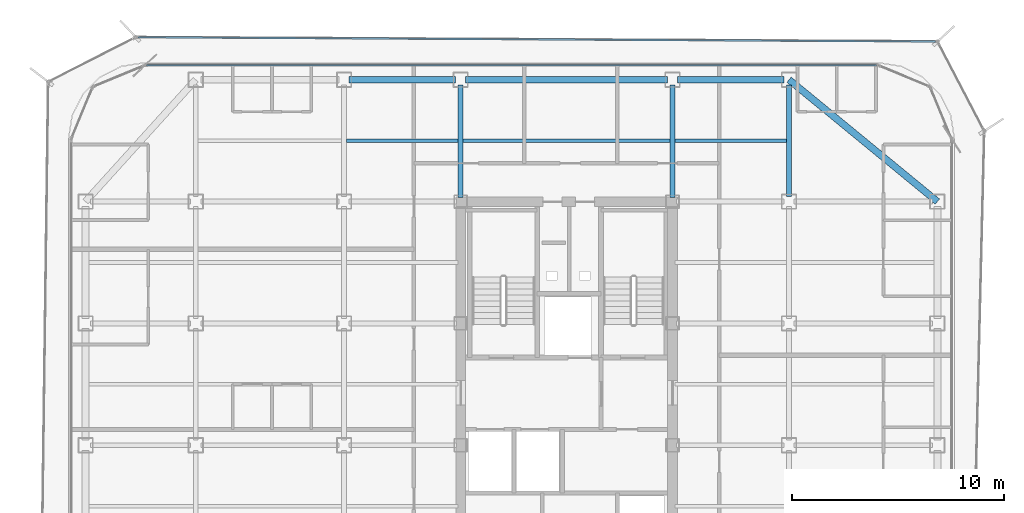
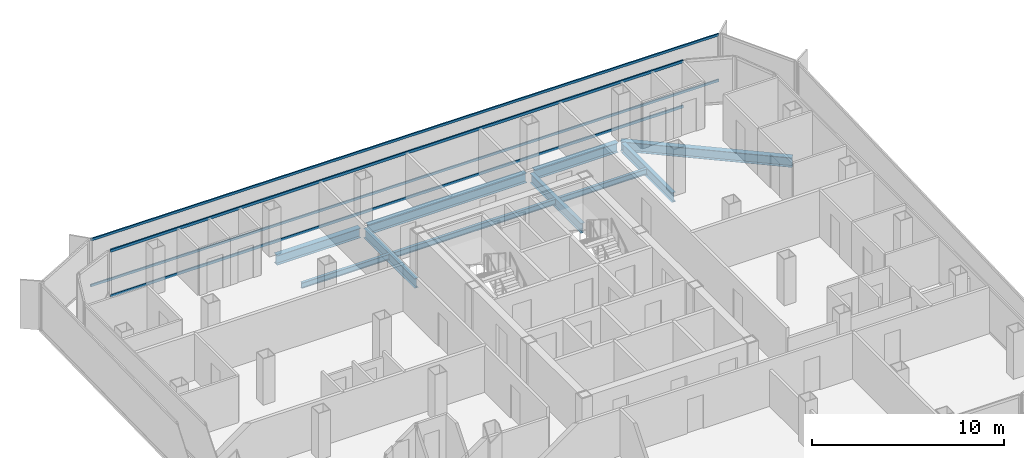
# One storey, part 7 of 15: 10 beams, 4 members, 2 elements without a shape of their own.
"""IFC4 building model written with IfcOpenShell, lengths in metres."""

from ifc_helpers import new_model, si_unit, direction, frame, origin, origin_2d, place, context, subcontext, project, spatial, hollow_rectangle, i_section, extrude, source, transform, mapped, material, layer, layer_set, material_profile, profile_set, type_object, element, aggregate, save


model = new_model("IFC4")

# Units and contexts
model_context = context("Model", 3, precision=1e-05, world=origin(), true_north=direction((0.0, 1.0)))
body_context = subcontext(model_context, "Body", "Model", "MODEL_VIEW")
ifc_project = project(units=[si_unit("LENGTHUNIT", "METRE"), si_unit("AREAUNIT", "SQUARE_METRE"), si_unit("VOLUMEUNIT", "CUBIC_METRE"), si_unit("PLANEANGLEUNIT", "RADIAN"), si_unit("MASSUNIT", "GRAM", prefix="KILO")], contexts=[model_context])

# Site, building, storey
site_placement = place(None, origin())
site = spatial("IfcSite", under=ifc_project, at=site_placement, CompositionType="ELEMENT")
building_placement = place(site_placement, origin())
building = spatial("IfcBuilding", under=site, at=building_placement, Name="Kolveth Station Tower", CompositionType="ELEMENT")
storey_placement = place(building_placement, frame((0.0, 0.0, 168.89990234375)))
storey = spatial("IfcBuildingStorey", under=building, at=storey_placement, Name="L47", CompositionType="ELEMENT", Elevation=168.89990234375)

# Beams
ifc_material_1 = material(Name="Steel S355", Category="steel")
ifc_material_profile_1 = material_profile(ifc_material_1, i_section(OverallWidth=0.323974609375, OverallDepth=0.611083984375, WebThickness=0.0126953125, FlangeThickness=0.01904296875, at=origin_2d()), Name="W610x155")
ifc_profile_set_1 = profile_set([ifc_material_profile_1], Name="Steel S355")
beam_type_1 = type_object("IfcBeamType", Name="Beam_SP2", PredefinedType="SPANDREL", material=ifc_profile_set_1)
shared_shape_1 = source(origin(), body_context, "Body", "SweptSolid", [
    extrude(i_section(OverallWidth=0.323974609375, OverallDepth=0.611083984375, WebThickness=0.0126953125, FlangeThickness=0.01904296875, at=origin_2d()), origin(), (0.0, 0.0, 1.0), 5.02001953125),
])
for number, where, z_axis, x_axis, name in (
    (1, (13.239990234375, 34.5, -0.555419921875), (1.0, 0.0, 0.0), (0.0, 1.0, 0.0), "L47 Perimeter Spandrel BM-L47-PN-2"),
    (2, (28.739990234375, 34.5, -0.555419921875), (1.0, 0.0, 0.0), (0.0, 1.0, 0.0), "L47 Perimeter Spandrel BM-L47-PN-4"),
):
    element("IfcBeam", number, at=place(storey_placement, frame(where, z_axis=z_axis, x_axis=x_axis)), inside=storey, type_object=beam_type_1, Name=name, PredefinedType="SPANDREL", context=body_context, shape_type="MappedRepresentation", body=[
        mapped(shared_shape_1, transform((0.0, 0.0, 0.0), x_axis=(1.0, 0.0, 0.0), y_axis=(0.0, 1.0, 0.0), z_axis=(0.0, 0.0, 1.0), scale=1.0)),
    ])
shared_shape_2 = source(origin(), body_context, "Body", "SweptSolid", [
    extrude(i_section(OverallWidth=0.323974609375, OverallDepth=0.611083984375, WebThickness=0.0126953125, FlangeThickness=0.01904296875, at=origin_2d()), origin(), (0.0, 0.0, 1.0), 9.52001953125),
])
beam_1_placement = place(storey_placement, frame((18.739990234375, 34.5, -0.555419921875), z_axis=(1.0, 0.0, 0.0), x_axis=(0.0, 1.0, 0.0)))
element("IfcBeam", 3, at=beam_1_placement, inside=storey, type_object=beam_type_1, Name="L47 Perimeter Spandrel BM-L47-PN-3", PredefinedType="SPANDREL", context=body_context, shape_type="MappedRepresentation", body=[
    mapped(shared_shape_2, transform((0.0, 0.0, 0.0), x_axis=(1.0, 0.0, 0.0), y_axis=(0.0, 1.0, 0.0), z_axis=(0.0, 0.0, 1.0), scale=1.0)),
])
shared_shape_3 = source(origin(), body_context, "Body", "SweptSolid", [
    extrude(i_section(OverallWidth=0.323974609375, OverallDepth=0.611083984375, WebThickness=0.0126953125, FlangeThickness=0.01904296875, at=origin_2d()), origin(), (0.0, 0.0, 1.0), 9.058837890625),
])
beam_2_placement = place(storey_placement, frame((41.0, 28.75, -0.555419921875), z_axis=(-0.772726254525, 0.63473942336, 0.0), x_axis=(-0.63473942336, -0.772726254525, 0.0)))
element("IfcBeam", 4, at=beam_2_placement, inside=storey, type_object=beam_type_1, Name="L47 Corner Edge Girder BM-L47-CNR-NE", PredefinedType="SPANDREL", context=body_context, shape_type="MappedRepresentation", body=[
    mapped(shared_shape_3, transform((0.0, 0.0, 0.0), x_axis=(1.0, 0.0, 0.0), y_axis=(0.0, 1.0, 0.0), z_axis=(0.0, 0.0, 1.0), scale=1.0)),
])
ifc_material_profile_2 = material_profile(ifc_material_1, i_section(OverallWidth=0.22900390625, OverallDepth=0.612060546875, WebThickness=0.011962890625, FlangeThickness=0.01953125, at=origin_2d()), Name="W610x125")
ifc_profile_set_2 = profile_set([ifc_material_profile_2], Name="Steel S355")
beam_type_2 = type_object("IfcBeamType", Name="Beam_B5", PredefinedType="BEAM", material=ifc_profile_set_2)
shared_shape_4 = source(origin(), body_context, "Body", "SweptSolid", [
    extrude(i_section(OverallWidth=0.22900390625, OverallDepth=0.612060546875, WebThickness=0.011962890625, FlangeThickness=0.01953125, at=origin_2d()), origin(), (0.0, 0.0, 1.0), 5.27001953125),
])
beam_3_placement = place(storey_placement, frame((34.0, 28.989990234375, -0.555908203125), z_axis=(0.0, 1.0, 0.0), x_axis=(-1.0, 0.0, 0.0)))
element("IfcBeam", 5, at=beam_3_placement, inside=storey, type_object=beam_type_2, Name="L47 Primary Girder BM-L47-GX340-6", PredefinedType="BEAM", context=body_context, shape_type="MappedRepresentation", body=[
    mapped(shared_shape_4, transform((0.0, 0.0, 0.0), x_axis=(1.0, 0.0, 0.0), y_axis=(0.0, 1.0, 0.0), z_axis=(0.0, 0.0, 1.0), scale=1.0)),
])
shared_shape_5 = source(origin(), body_context, "Body", "SweptSolid", [
    extrude(i_section(OverallWidth=0.22900390625, OverallDepth=0.612060546875, WebThickness=0.011962890625, FlangeThickness=0.01953125, at=origin_2d()), origin(), (0.0, 0.0, 1.0), 5.31005859375),
])
for number, where, z_axis, x_axis, name in (
    (6, (18.5, 28.949951171875, -0.555908203125), (0.0, 1.0, 0.0), (-1.0, 0.0, 0.0), "L47 Primary Girder BM-L47-GX185-6"),
    (7, (28.5, 28.949951171875, -0.555908203125), (0.0, 1.0, 0.0), (-1.0, 0.0, 0.0), "L47 Primary Girder BM-L47-GX285-6"),
):
    element("IfcBeam", number, at=place(storey_placement, frame(where, z_axis=z_axis, x_axis=x_axis)), inside=storey, type_object=beam_type_2, Name=name, PredefinedType="BEAM", context=body_context, shape_type="MappedRepresentation", body=[
        mapped(shared_shape_5, transform((0.0, 0.0, 0.0), x_axis=(1.0, 0.0, 0.0), y_axis=(0.0, 1.0, 0.0), z_axis=(0.0, 0.0, 1.0), scale=1.0)),
    ])
ifc_material_profile_3 = material_profile(ifc_material_1, i_section(OverallWidth=0.1708984375, OverallDepth=0.35205078125, WebThickness=0.0068359375, FlangeThickness=0.009765625, at=origin_2d()), Name="W360x44")
ifc_profile_set_3 = profile_set([ifc_material_profile_3], Name="Steel S355")
beam_type_3 = type_object("IfcBeamType", Name="Beam_J2", PredefinedType="JOIST", material=ifc_profile_set_3)
shared_shape_6 = source(origin(), body_context, "Body", "SweptSolid", [
    extrude(i_section(OverallWidth=0.1708984375, OverallDepth=0.35205078125, WebThickness=0.0068359375, FlangeThickness=0.009765625, at=origin_2d()), origin(), (0.0, 0.0, 1.0), 5.27490234375),
])
for number, where, z_axis, x_axis, name in (
    (8, (13.112548828125, 31.625, -0.42578125), (1.0, 0.0, 0.0), (0.0, 1.0, 0.0), "L47 Secondary Joist JST-L47-3-6"),
    (9, (28.612548828125, 31.625, -0.42578125), (1.0, 0.0, 0.0), (0.0, 1.0, 0.0), "L47 Secondary Joist JST-L47-5-6"),
):
    element("IfcBeam", number, at=place(storey_placement, frame(where, z_axis=z_axis, x_axis=x_axis)), inside=storey, type_object=beam_type_3, Name=name, PredefinedType="JOIST", context=body_context, shape_type="MappedRepresentation", body=[
        mapped(shared_shape_6, transform((0.0, 0.0, 0.0), x_axis=(1.0, 0.0, 0.0), y_axis=(0.0, 1.0, 0.0), z_axis=(0.0, 0.0, 1.0), scale=1.0)),
    ])
shared_shape_7 = source(origin(), body_context, "Body", "SweptSolid", [
    extrude(i_section(OverallWidth=0.1708984375, OverallDepth=0.35205078125, WebThickness=0.0068359375, FlangeThickness=0.009765625, at=origin_2d()), origin(), (0.0, 0.0, 1.0), 9.77490234375),
])
beam_4_placement = place(storey_placement, frame((18.612548828125, 31.625, -0.42578125), z_axis=(1.0, 0.0, 0.0), x_axis=(0.0, 1.0, 0.0)))
element("IfcBeam", 10, at=beam_4_placement, inside=storey, type_object=beam_type_3, Name="L47 Secondary Joist JST-L47-4-6", PredefinedType="JOIST", context=body_context, shape_type="MappedRepresentation", body=[
    mapped(shared_shape_7, transform((0.0, 0.0, 0.0), x_axis=(1.0, 0.0, 0.0), y_axis=(0.0, 1.0, 0.0), z_axis=(0.0, 0.0, 1.0), scale=1.0)),
])

# Curtain wall, members
ifc_material_2 = material(Name="Aluminium 6063-T6 and low-E dark glass", Category="aluminium")
ifc_layer_1 = layer(ifc_material_2, 0.18994140625)
ifc_layer_set_1 = layer_set([ifc_layer_1], Name="Aluminium 6063-T6 and low-E dark glass")
curtain_wall_type_1 = type_object("IfcCurtainWallType", Name="CurtainWall_CW-Z2", PredefinedType="NOTDEFINED", material=ifc_layer_set_1)
curtain_wall_1_placement = place(storey_placement, origin())
curtain_wall_1 = element("IfcCurtainWall", 11, at=curtain_wall_1_placement, inside=storey, type_object=curtain_wall_type_1, Name="L47 Inner Thermal Curtain Wall 6", PredefinedType="NOTDEFINED")
ifc_material_3 = material(Name="Black anodized aluminium 6063-T6", Category="aluminium")
ifc_material_profile_4 = material_profile(ifc_material_3, hollow_rectangle(XDim=0.080078125, YDim=0.169921875, WallThickness=0.0048828125, at=origin_2d()), Name="ALU-80x170x5")
ifc_profile_set_4 = profile_set([ifc_material_profile_4], Name="Black anodized aluminium 6063-T6")
member_type_1 = type_object("IfcMemberType", Name="Transom_TR2", PredefinedType="USERDEFINED", material=ifc_profile_set_4)
shared_shape_8 = source(origin(), body_context, "Body", "SweptSolid", [
    extrude(hollow_rectangle(XDim=0.080078125, YDim=0.169921875, WallThickness=0.0048828125, at=origin_2d()), origin(), (0.0, 0.0, 1.0), 34.440185546875),
])
member_1_placement = place(storey_placement, frame((38.1201171875, 35.179931640625, 0.0400390625), z_axis=(-1.0, 0.0, 0.0), x_axis=(0.0, -1.0, 0.0)))
member_1 = element("IfcMember", 12, at=member_1_placement, type_object=member_type_1, Name="CW-Z2 transom 1.1", ObjectType="TRANSOM", PredefinedType="USERDEFINED", context=body_context, shape_type="MappedRepresentation", body=[
    mapped(shared_shape_8, transform((0.0, 0.0, 0.0), x_axis=(1.0, 0.0, 0.0), y_axis=(0.0, 1.0, 0.0), z_axis=(0.0, 0.0, 1.0), scale=1.0)),
])
member_2_placement = place(storey_placement, frame((38.1201171875, 35.179931640625, 2.91015625), z_axis=(-1.0, 0.0, 0.0), x_axis=(0.0, -1.0, 0.0)))
member_2 = element("IfcMember", 13, at=member_2_placement, type_object=member_type_1, Name="CW-Z2 transom 1.2", ObjectType="TRANSOM", PredefinedType="USERDEFINED", context=body_context, shape_type="MappedRepresentation", body=[
    mapped(shared_shape_8, transform((0.0, 0.0, 0.0), x_axis=(1.0, 0.0, 0.0), y_axis=(0.0, 1.0, 0.0), z_axis=(0.0, 0.0, 1.0), scale=1.0)),
])
aggregate(curtain_wall_1, [member_1, member_2])

ifc_material_4 = material(Name="Black anodized aluminium 6063-T6 and dark solar glass", Category="aluminium")
ifc_layer_2 = layer(ifc_material_4, 0.159912109375)
ifc_layer_set_2 = layer_set([ifc_layer_2], Name="Black anodized aluminium 6063-T6 and dark solar glass")
curtain_wall_type_2 = type_object("IfcCurtainWallType", Name="OUTER SKIN CW-OS", PredefinedType="NOTDEFINED", material=ifc_layer_set_2)
curtain_wall_2_placement = place(storey_placement, origin())
curtain_wall_2 = element("IfcCurtainWall", 14, at=curtain_wall_2_placement, inside=storey, type_object=curtain_wall_type_2, Name="L47 Outer Ventilated Skin Curtain Wall 4", PredefinedType="NOTDEFINED")
ifc_material_profile_5 = material_profile(ifc_material_3, hollow_rectangle(XDim=0.080078125, YDim=0.14990234375, WallThickness=0.0048828125, at=origin_2d()), Name="ALU-80x150x5")
ifc_profile_set_5 = profile_set([ifc_material_profile_5], Name="Black anodized aluminium 6063-T6")
member_type_2 = type_object("IfcMemberType", Name="Transom_TR-OS", PredefinedType="USERDEFINED", material=ifc_profile_set_5)
shared_shape_9 = source(origin(), body_context, "Body", "SweptSolid", [
    extrude(hollow_rectangle(XDim=0.080078125, YDim=0.14990234375, WallThickness=0.0048828125, at=origin_2d()), origin(), (0.0, 0.0, 1.0), 37.655517578125),
])
member_3_placement = place(storey_placement, frame((40.921142578125, 36.303955078125, 0.0400390625), z_axis=(-0.999985590284, 0.005368353932, 0.0), x_axis=(-0.005368353932, -0.999985590284, 0.0)))
member_3 = element("IfcMember", 15, at=member_3_placement, type_object=member_type_2, Name="CW-OS transom 1.1", ObjectType="TRANSOM", PredefinedType="USERDEFINED", context=body_context, shape_type="MappedRepresentation", body=[
    mapped(shared_shape_9, transform((0.0, 0.0, 0.0), x_axis=(1.0, 0.0, 0.0), y_axis=(0.0, 1.0, 0.0), z_axis=(0.0, 0.0, 1.0), scale=1.0)),
])
member_4_placement = place(storey_placement, frame((40.921142578125, 36.303955078125, 2.9501953125), z_axis=(-0.999985590284, 0.005368353932, 0.0), x_axis=(-0.005368353932, -0.999985590284, 0.0)))
member_4 = element("IfcMember", 16, at=member_4_placement, type_object=member_type_2, Name="CW-OS transom 1.2", ObjectType="TRANSOM", PredefinedType="USERDEFINED", context=body_context, shape_type="MappedRepresentation", body=[
    mapped(shared_shape_9, transform((0.0, 0.0, 0.0), x_axis=(1.0, 0.0, 0.0), y_axis=(0.0, 1.0, 0.0), z_axis=(0.0, 0.0, 1.0), scale=1.0)),
])
aggregate(curtain_wall_2, [member_3, member_4])

save(model, "model.ifc")
